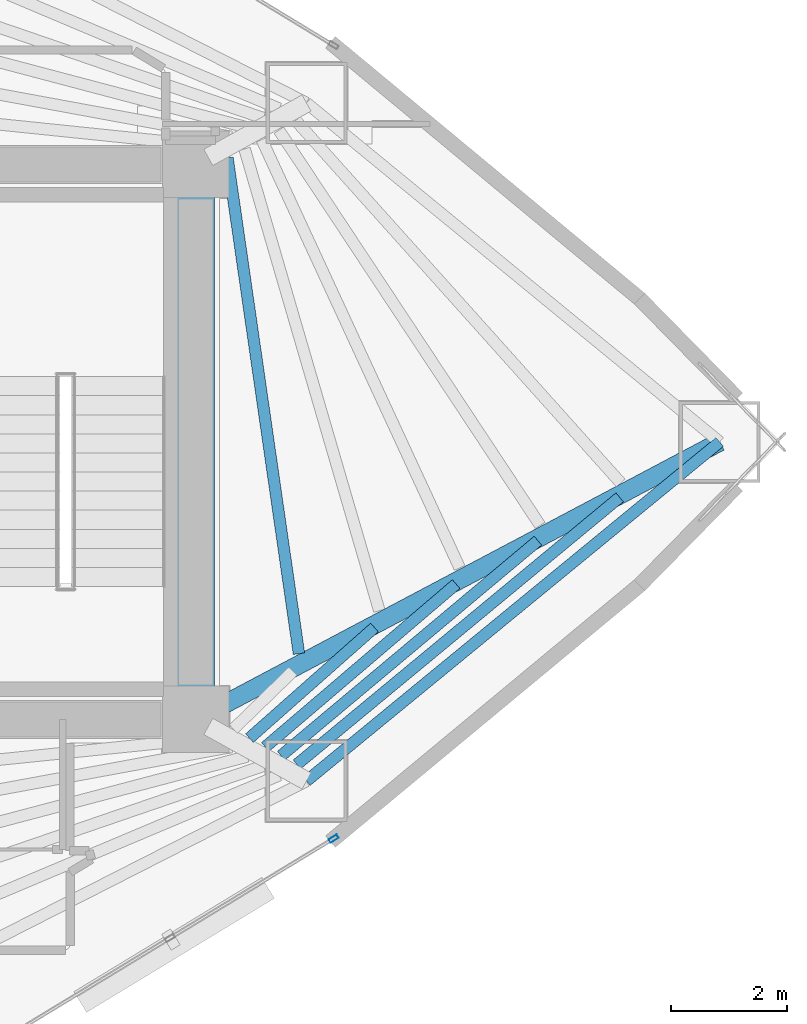
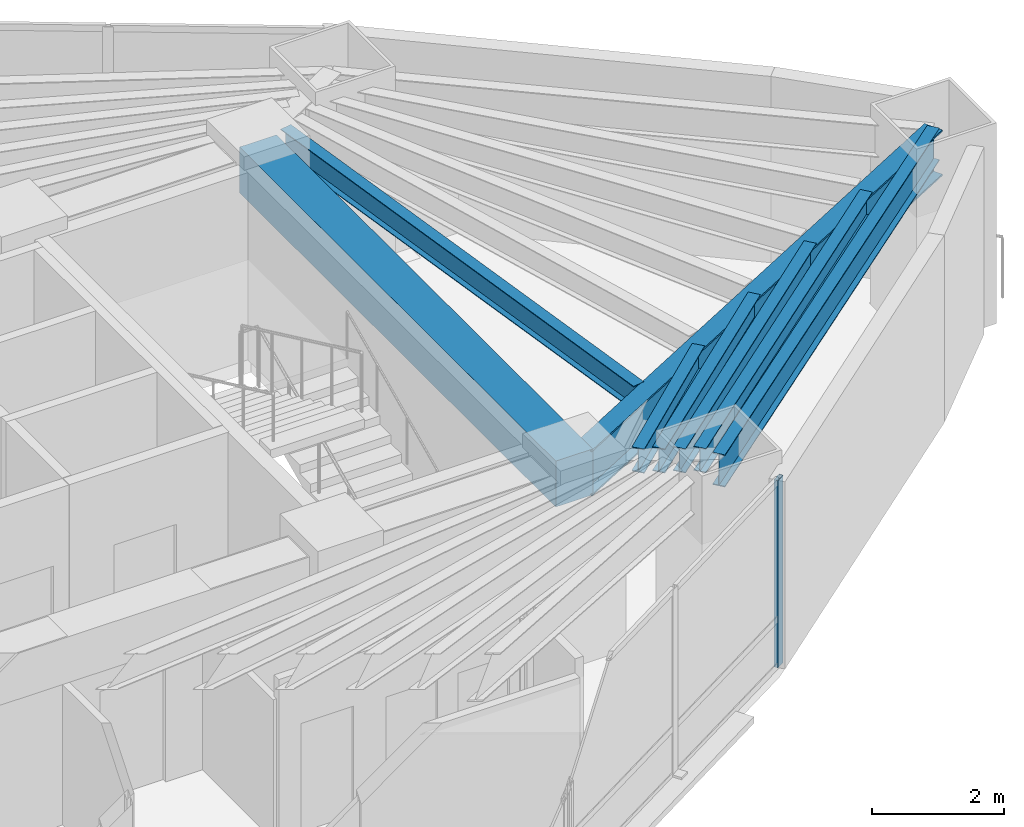
# One storey, part 6 of 17: 8 beams, 1 member, 1 element without a shape of its own.
"""IFC4 building model written with IfcOpenShell, lengths in metres."""

from ifc_helpers import new_model, si_unit, direction, frame, origin, origin_2d, place, context, subcontext, project, spatial, rectangle, hollow_rectangle, i_section, extrude, material, layer, layer_set, material_profile, profile_set, type_object, element, aggregate, save


model = new_model("IFC4")

# Units and contexts
model_context = context("Model", 3, precision=1e-05, world=origin(), true_north=direction((0.0, 1.0)))
body_context = subcontext(model_context, "Body", "Model", "MODEL_VIEW")
ifc_project = project(units=[si_unit("LENGTHUNIT", "METRE"), si_unit("AREAUNIT", "SQUARE_METRE"), si_unit("VOLUMEUNIT", "CUBIC_METRE"), si_unit("PLANEANGLEUNIT", "RADIAN"), si_unit("MASSUNIT", "GRAM", prefix="KILO")], contexts=[model_context])

# Site, building, storey
site_placement = place(None, origin())
site = spatial("IfcSite", under=ifc_project, at=site_placement, CompositionType="ELEMENT")
building_placement = place(site_placement, origin())
building = spatial("IfcBuilding", under=site, at=building_placement, Name="Menara Vayukalpa", CompositionType="ELEMENT")
storey_placement = place(building_placement, frame((0.0, 0.0, 42.47998046875)))
storey = spatial("IfcBuildingStorey", under=building, at=storey_placement, Name="L09", CompositionType="ELEMENT", Elevation=42.47998046875)

# Beams
ifc_material_1 = material(Name="Concrete C60/75", Category="concrete")
ifc_material_profile_1 = material_profile(ifc_material_1, rectangle(XDim=0.64990234375, YDim=0.85009765625, at=origin_2d()), Name="RC 650x850")
ifc_profile_set_1 = profile_set([ifc_material_profile_1], Name="Concrete C60/75")
beam_type_1 = type_object("IfcBeamType", Name="BM-CB1", PredefinedType="BEAM", material=ifc_profile_set_1)
beam_1_placement = place(storey_placement, frame((33.39990234375, 17.199951171875, 3.044921875), z_axis=(0.0, 1.0, 0.0), x_axis=(-1.0, 0.0, 0.0)))
element("IfcBeam", 1, at=beam_1_placement, inside=storey, type_object=beam_type_1, Name="L09 Core Tie Beam CBR8", PredefinedType="BEAM", context=body_context, shape_type="SweptSolid", body=[
    extrude(rectangle(XDim=0.64990234375, YDim=0.85009765625, at=origin_2d()), origin(), (0.0, 0.0, 1.0), 9.60009765625),
])
ifc_material_2 = material(Name="Steel S355", Category="steel")
ifc_material_profile_2 = material_profile(ifc_material_2, i_section(OverallWidth=0.320068359375, OverallDepth=0.85009765625, WebThickness=0.01611328125, FlangeThickness=0.030029296875, at=origin_2d()), Name="WF 850x320x16x30")
ifc_profile_set_2 = profile_set([ifc_material_profile_2], Name="Steel S355")
beam_type_2 = type_object("IfcBeamType", Name="BM-PG2", PredefinedType="BEAM", material=ifc_profile_set_2)
beam_2_placement = place(storey_placement, frame((33.620849609375, 17.31689453125, 3.044921875), z_axis=(0.883746967157, 0.467965060704, 0.0), x_axis=(-0.467965060704, 0.883746967157, 0.0)))
element("IfcBeam", 2, at=beam_2_placement, inside=storey, type_object=beam_type_2, Name="L09 Primary Radial Girder RG01", PredefinedType="BEAM", context=body_context, shape_type="SweptSolid", body=[
    extrude(i_section(OverallWidth=0.320068359375, OverallDepth=0.85009765625, WebThickness=0.01611328125, FlangeThickness=0.030029296875, at=origin_2d()), origin(), (0.0, 0.0, 1.0), 10.00732421875),
])
ifc_material_3 = material(Name="Steel S355", Category="steel")
ifc_material_profile_3 = material_profile(ifc_material_3, i_section(OverallWidth=0.199951171875, OverallDepth=0.449951171875, WebThickness=0.009033203125, FlangeThickness=0.013916015625, at=origin_2d()), Name="WF 450x200x9x14")
ifc_profile_set_3 = profile_set([ifc_material_profile_3], Name="Steel S355")
beam_type_3 = type_object("IfcBeamType", Name="BM-SJ1", PredefinedType="JOIST", material=ifc_profile_set_3)
beam_3_placement = place(storey_placement, frame((35.18701171875, 18.338134765625, 3.2451171875), z_axis=(-0.142766602183, 0.989756382804, 0.0), x_axis=(-0.989756382804, -0.142766602183, 0.0)))
element("IfcBeam", 3, at=beam_3_placement, inside=storey, type_object=beam_type_3, Name="L09 Secondary Floor Joist SJ01-1", PredefinedType="JOIST", context=body_context, shape_type="SweptSolid", body=[
    extrude(i_section(OverallWidth=0.199951171875, OverallDepth=0.449951171875, WebThickness=0.009033203125, FlangeThickness=0.013916015625, at=origin_2d()), origin(), (0.0, 0.0, 1.0), 8.6630859375),
])
beam_4_placement = place(storey_placement, frame((34.331298828125, 16.877685546875, 3.2451171875), z_axis=(0.748970728252, 0.662603084978, 0.0), x_axis=(-0.662603084978, 0.748970728252, 0.0)))
element("IfcBeam", 4, at=beam_4_placement, inside=storey, type_object=beam_type_3, Name="L09 Secondary Floor Joist SJ09-2", PredefinedType="JOIST", context=body_context, shape_type="SweptSolid", body=[
    extrude(i_section(OverallWidth=0.199951171875, OverallDepth=0.449951171875, WebThickness=0.009033203125, FlangeThickness=0.013916015625, at=origin_2d()), origin(), (0.0, 0.0, 1.0), 2.88623046875),
])
beam_5_placement = place(storey_placement, frame((34.605224609375, 16.724609375, 3.2451171875), z_axis=(0.760660716004, 0.649149655418, 0.0), x_axis=(-0.649149655418, 0.760660716004, 0.0)))
element("IfcBeam", 5, at=beam_5_placement, inside=storey, type_object=beam_type_3, Name="L09 Secondary Floor Joist SJ09-3", PredefinedType="JOIST", context=body_context, shape_type="SweptSolid", body=[
    extrude(i_section(OverallWidth=0.199951171875, OverallDepth=0.449951171875, WebThickness=0.009033203125, FlangeThickness=0.013916015625, at=origin_2d()), origin(), (0.0, 0.0, 1.0), 4.33935546875),
])
beam_6_placement = place(storey_placement, frame((34.878173828125, 16.572509765625, 3.2451171875), z_axis=(0.766661190174, 0.642051882235, 0.0), x_axis=(-0.642051882235, 0.766661190174, 0.0)))
element("IfcBeam", 6, at=beam_6_placement, inside=storey, type_object=beam_type_3, Name="L09 Secondary Floor Joist SJ09-4", PredefinedType="JOIST", context=body_context, shape_type="SweptSolid", body=[
    extrude(i_section(OverallWidth=0.199951171875, OverallDepth=0.449951171875, WebThickness=0.009033203125, FlangeThickness=0.013916015625, at=origin_2d()), origin(), (0.0, 0.0, 1.0), 5.79345703125),
])
beam_7_placement = place(storey_placement, frame((35.15087890625, 16.421142578125, 3.2451171875), z_axis=(0.770362369683, 0.637606320056, 0.0), x_axis=(-0.637606320056, 0.770362369683, 0.0)))
element("IfcBeam", 7, at=beam_7_placement, inside=storey, type_object=beam_type_3, Name="L09 Secondary Floor Joist SJ09-5", PredefinedType="JOIST", context=body_context, shape_type="SweptSolid", body=[
    extrude(i_section(OverallWidth=0.199951171875, OverallDepth=0.449951171875, WebThickness=0.009033203125, FlangeThickness=0.013916015625, at=origin_2d()), origin(), (0.0, 0.0, 1.0), 7.24755859375),
])
ifc_material_4 = material(Name="Steel S355", Category="steel")
ifc_material_profile_4 = material_profile(ifc_material_4, i_section(OverallWidth=0.199951171875, OverallDepth=0.60009765625, WebThickness=0.010986328125, FlangeThickness=0.01708984375, at=origin_2d()), Name="WF 600x200x11x17")
ifc_profile_set_4 = profile_set([ifc_material_profile_4], Name="Steel S355")
beam_type_4 = type_object("IfcBeamType", Name="BM-SP1", PredefinedType="SPANDREL", material=ifc_profile_set_4)
beam_8_placement = place(storey_placement, frame((35.318115234375, 16.13671875, 3.169921875), z_axis=(0.773110561587, 0.63427128231, 0.0), x_axis=(-0.63427128231, 0.773110561587, 0.0)))
element("IfcBeam", 8, at=beam_8_placement, inside=storey, type_object=beam_type_4, Name="L09 Perimeter Spandrel Beam SP09", PredefinedType="SPANDREL", context=body_context, shape_type="SweptSolid", body=[
    extrude(i_section(OverallWidth=0.199951171875, OverallDepth=0.60009765625, WebThickness=0.010986328125, FlangeThickness=0.01708984375, at=origin_2d()), origin(), (0.0, 0.0, 1.0), 9.244140625),
])

# Curtain wall, member
ifc_material_5 = material(Name="Anodised Terracotta Aluminium Alloy 6063-T6", Category="masonry")
ifc_layer = layer(ifc_material_5, 0.1650390625)
ifc_layer_set = layer_set([ifc_layer], Name="Anodised Terracotta Aluminium Alloy 6063-T6")
curtain_wall_type = type_object("IfcCurtainWallType", Name="CW-CW2", PredefinedType="USERDEFINED", material=ifc_layer_set)
curtain_wall_placement = place(storey_placement, origin())
curtain_wall = element("IfcCurtainWall", 9, at=curtain_wall_placement, inside=storey, type_object=curtain_wall_type, Name="L09 Low Rise Terracotta Ribbon Curtain Wall CW2 17", ObjectType="UNITISED", PredefinedType="USERDEFINED")
ifc_material_6 = material(Name="Anodised Terracotta Aluminium Alloy 6063-T6", Category="masonry")
ifc_material_profile_5 = material_profile(ifc_material_6, hollow_rectangle(XDim=0.070068359375, YDim=0.1650390625, WallThickness=0.00390625, at=origin_2d()), Name="ALU 70x165x4")
ifc_profile_set_5 = profile_set([ifc_material_profile_5], Name="Anodised Terracotta Aluminium Alloy 6063-T6")
member_type = type_object("IfcMemberType", Name="CWM-CW2", PredefinedType="MULLION", material=ifc_profile_set_5)
member_placement = place(storey_placement, frame((35.787353515625, 15.138427734375, 0.0), z_axis=(0.0, 0.0, 1.0), x_axis=(-0.519181964377, 0.854663727945, 0.0)))
member = element("IfcMember", 10, at=member_placement, type_object=member_type, Name="CW2 mullion 3", PredefinedType="MULLION", context=body_context, shape_type="SweptSolid", body=[
    extrude(hollow_rectangle(XDim=0.070068359375, YDim=0.1650390625, WallThickness=0.00390625, at=origin_2d()), origin(), (0.0, 0.0, 1.0), 3.469970703125),
])
aggregate(curtain_wall, [member])

save(model, "model.ifc")
